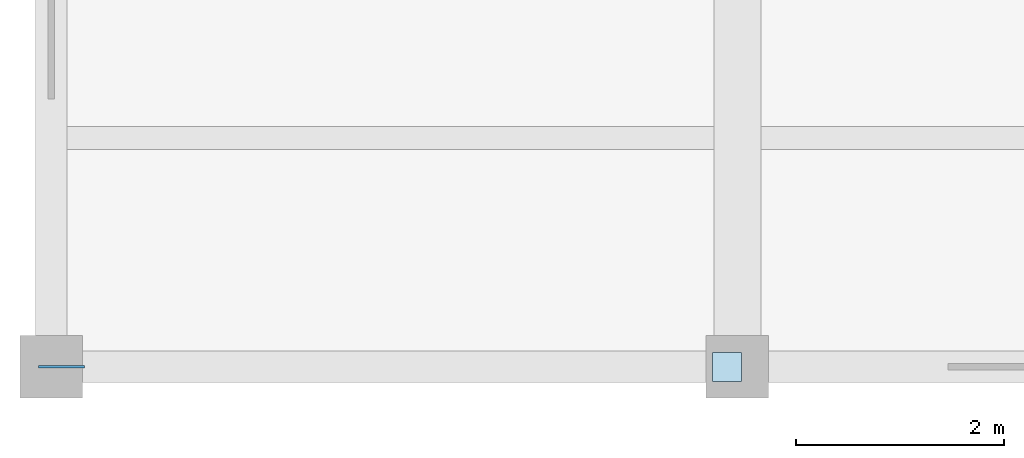
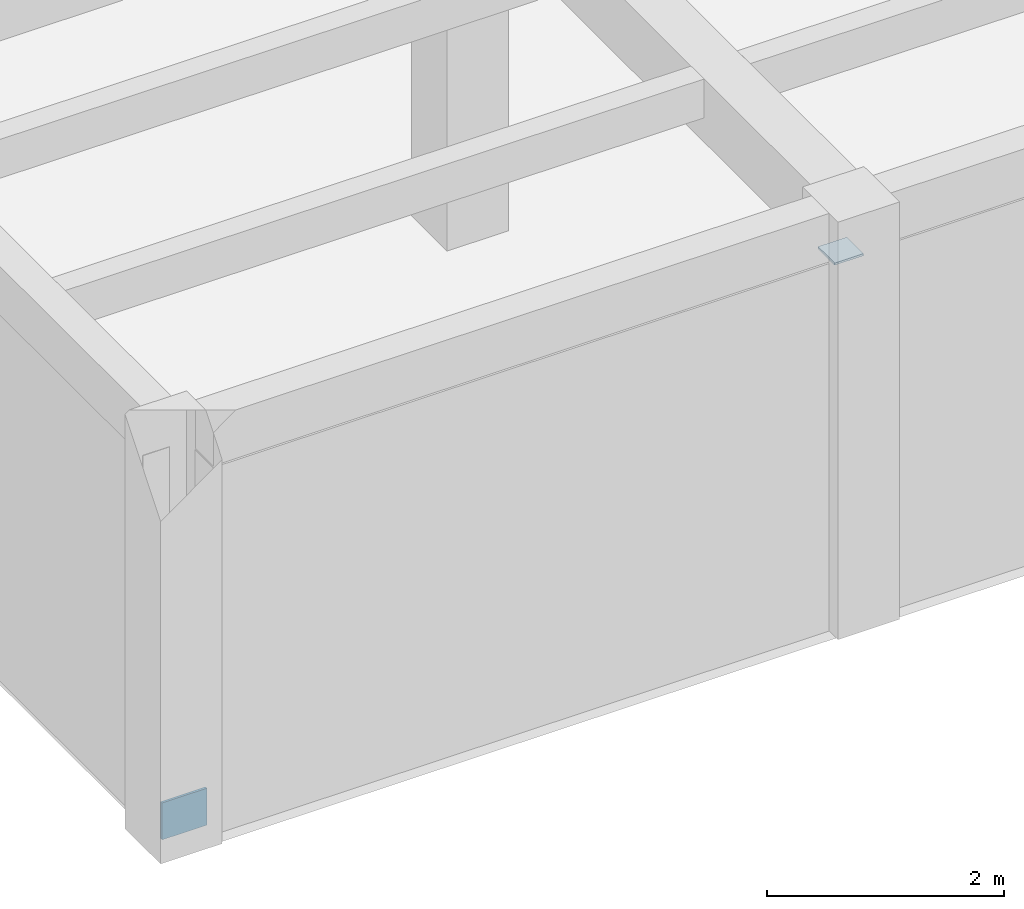
# One storey, part 59 of 80: 2 plates.
"""IFC4 building model written with IfcOpenShell, lengths in metres."""

from ifc_helpers import new_model, si_unit, direction, frame, origin, origin_2d, place, context, subcontext, project, spatial, rectangle, extrude, material, layer, layer_set, type_object, element, save


model = new_model("IFC4")

# Units and contexts
model_context = context("Model", 3, precision=1e-05, world=origin(), true_north=direction((0.0, 1.0)))
body_context = subcontext(model_context, "Body", "Model", "MODEL_VIEW")
ifc_project = project(units=[si_unit("LENGTHUNIT", "METRE"), si_unit("AREAUNIT", "SQUARE_METRE"), si_unit("VOLUMEUNIT", "CUBIC_METRE"), si_unit("PLANEANGLEUNIT", "RADIAN"), si_unit("MASSUNIT", "GRAM", prefix="KILO")], contexts=[model_context])

# Site, building, storey
site_placement = place(None, origin())
site = spatial("IfcSite", under=ifc_project, at=site_placement, CompositionType="ELEMENT")
building_placement = place(site_placement, origin())
building = spatial("IfcBuilding", under=site, at=building_placement, Name="Kharisveld Research Institute", CompositionType="ELEMENT")
storey_placement = place(building_placement, frame((0.0, 0.0, 5.10009765625)))
storey = spatial("IfcBuildingStorey", under=building, at=storey_placement, Name="L01", CompositionType="ELEMENT", Elevation=5.10009765625)

# Plates
ifc_material_1 = material(Name="Steel S355JR", Category="steel")
ifc_layer_1 = layer(ifc_material_1, 0.02197265625)
ifc_layer_set_1 = layer_set([ifc_layer_1], Name="PL_CAP_C")
plate_type_1 = type_object("IfcPlateType", Name="PL_CAP_C", PredefinedType="SHEET", material=ifc_layer_set_1)
plate_1_placement = place(storey_placement, frame((7.10009765625, 0.199951171875, 3.739013671875), z_axis=(0.0, 0.0, 1.0), x_axis=(1.0, 0.0, 0.0)))
element("IfcPlate", 1, at=plate_1_placement, inside=storey, type_object=plate_type_1, Name="PLT:V3:L01:CAP_0_0", PredefinedType="SHEET", context=body_context, shape_type="SweptSolid", body=[
    extrude(rectangle(XDim=0.280029296875, YDim=0.280029296875, at=origin_2d()), origin(), (0.0, 0.0, 1.0), 0.02197265625),
])
ifc_material_2 = material(Name="Steel S355JR", Category="steel")
ifc_layer_2 = layer(ifc_material_2, 0.02392578125)
ifc_layer_set_2 = layer_set([ifc_layer_2], Name="PL_GUS_C")
plate_type_2 = type_object("IfcPlateType", Name="PL_GUS_C", PredefinedType="USERDEFINED", material=ifc_layer_set_2)
plate_2_placement = place(storey_placement, frame((0.699951171875, 0.199951171875, 0.010009765625), z_axis=(0.0, 0.0, 1.0), x_axis=(1.0, 0.0, 0.0)))
element("IfcPlate", 2, at=plate_2_placement, inside=storey, type_object=plate_type_2, Name="PLT:V3:L01:GUS_0_0", ObjectType="GUSSET PLATE", PredefinedType="USERDEFINED", context=body_context, shape_type="SweptSolid", body=[
    extrude(rectangle(XDim=0.43994140625, YDim=0.02392578125, at=origin_2d()), origin(), (0.0, 0.0, 1.0), 0.3798828125),
])

save(model, "model.ifc")
